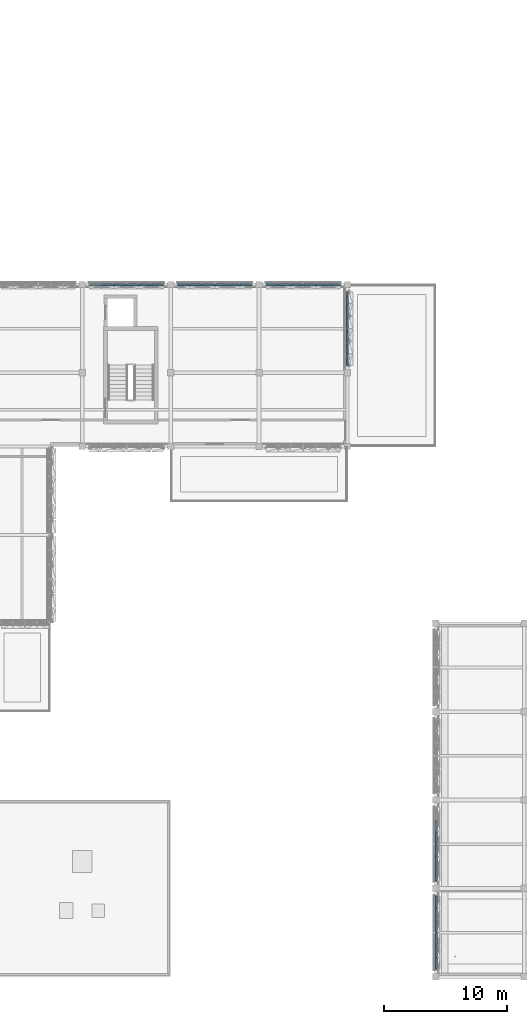
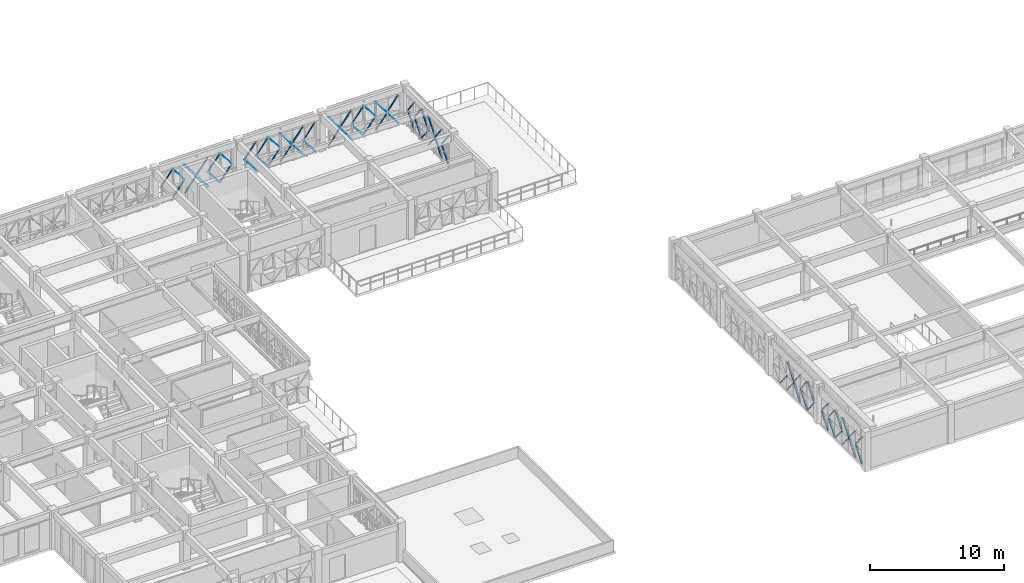
# One storey, part 47 of 74: 68 discrete accessories.
"""IFC4 building model written with IfcOpenShell, lengths in metres."""

from ifc_helpers import new_model, si_unit, direction, frame, origin, origin_2d, place, context, subcontext, project, spatial, rectangle, extrude, material, type_object, element, save


model = new_model("IFC4")

# Units and contexts
model_context = context("Model", 3, precision=1e-05, world=origin(), true_north=direction((0.0, 1.0)))
body_context = subcontext(model_context, "Body", "Model", "MODEL_VIEW")
ifc_project = project(units=[si_unit("LENGTHUNIT", "METRE"), si_unit("AREAUNIT", "SQUARE_METRE"), si_unit("VOLUMEUNIT", "CUBIC_METRE"), si_unit("PLANEANGLEUNIT", "RADIAN"), si_unit("MASSUNIT", "GRAM", prefix="KILO")], contexts=[model_context])

# Site, building, storey
site_placement = place(None, origin())
site = spatial("IfcSite", under=ifc_project, at=site_placement, CompositionType="ELEMENT")
building_placement = place(site_placement, origin())
building = spatial("IfcBuilding", under=site, at=building_placement, Name="Alvorim Cloister Faculty of Sciences", CompositionType="ELEMENT")
storey_placement = place(building_placement, frame((0.0, 0.0, 15.75)))
storey = spatial("IfcBuildingStorey", under=building, at=storey_placement, Name="L04", CompositionType="ELEMENT", Elevation=15.75)

# Discrete accessories
ifc_material = material(Name="Aluminium Alloy 6063-T6", Category="aluminium")
discrete_accessory_type = type_object("IfcDiscreteAccessoryType", Name="ACC-DIAG-BAR", PredefinedType="BRACKET", material=ifc_material)
discrete_accessory_1_placement = place(storey_placement, frame((36.60498046875, 56.37744140625, 1.4951171875), z_axis=(0.604790215644, -0.006561629754, 0.796357796519), x_axis=(0.010848792579, 0.999941150118, 0.0)))
element("IfcDiscreteAccessory", 1, at=discrete_accessory_1_placement, inside=storey, type_object=discrete_accessory_type, Name="Diagonal Cassette Glazing Bracket ACC-02078", PredefinedType="BRACKET", context=body_context, shape_type="SweptSolid", body=[
    extrude(rectangle(XDim=0.139892578125, YDim=0.044921875, at=origin_2d()), origin(), (0.0, 0.0, 1.0), 1.525390625),
])
discrete_accessory_2_placement = place(storey_placement, frame((37.592529296875, 56.37744140625, 0.139892578125), z_axis=(0.617955086572, -0.006476523147, 0.786186724404), x_axis=(0.010479997039, 0.999945083323, 0.0)))
element("IfcDiscreteAccessory", 2, at=discrete_accessory_2_placement, inside=storey, type_object=discrete_accessory_type, Name="Diagonal Cassette Glazing Bracket ACC-02079", PredefinedType="BRACKET", context=body_context, shape_type="SweptSolid", body=[
    extrude(rectangle(XDim=0.139892578125, YDim=0.044921875, at=origin_2d()), origin(), (0.0, 0.0, 1.0), 1.545654296875),
])
for number, where, z_axis, x_axis, name in (
    (3, (37.592529296875, 56.37744140625, 2.7099609375), (0.618031836495, -0.00647732753, -0.786126385072), (0.010479997039, 0.999945083323, 0.0), "Diagonal Cassette Glazing Bracket ACC-02080"),
    (4, (38.612548828125, 56.37744140625, 0.139892578125), (0.61785742976, -0.006477155362, 0.786263469168), (0.010482676365, 0.999945055239, 0.0), "Diagonal Cassette Glazing Bracket ACC-02081"),
):
    element("IfcDiscreteAccessory", number, at=place(storey_placement, frame(where, z_axis=z_axis, x_axis=x_axis)), inside=storey, type_object=discrete_accessory_type, Name=name, PredefinedType="BRACKET", context=body_context, shape_type="SweptSolid", body=[
        extrude(rectangle(XDim=0.139892578125, YDim=0.044921875, at=origin_2d()), origin(), (0.0, 0.0, 1.0), 1.54541015625),
    ])
discrete_accessory_3_placement = place(storey_placement, frame((38.612548828125, 56.37744140625, 2.7099609375), z_axis=(0.61793418254, -0.006477959981, -0.786203143012), x_axis=(0.010482676365, 0.999945055239, 0.0)))
element("IfcDiscreteAccessory", 5, at=discrete_accessory_3_placement, inside=storey, type_object=discrete_accessory_type, Name="Diagonal Cassette Glazing Bracket ACC-02082", PredefinedType="BRACKET", context=body_context, shape_type="SweptSolid", body=[
    extrude(rectangle(XDim=0.139892578125, YDim=0.044921875, at=origin_2d()), origin(), (0.0, 0.0, 1.0), 1.545166015625),
])
discrete_accessory_4_placement = place(storey_placement, frame((39.632568359375, 56.37744140625, 1.35498046875), z_axis=(0.61785742976, -0.006477155362, -0.786263469168), x_axis=(0.010482676365, 0.999945055239, 0.0)))
element("IfcDiscreteAccessory", 6, at=discrete_accessory_4_placement, inside=storey, type_object=discrete_accessory_type, Name="Diagonal Cassette Glazing Bracket ACC-02083", PredefinedType="BRACKET", context=body_context, shape_type="SweptSolid", body=[
    extrude(rectangle(XDim=0.139892578125, YDim=0.044921875, at=origin_2d()), origin(), (0.0, 0.0, 1.0), 1.54541015625),
])
discrete_accessory_5_placement = place(storey_placement, frame((39.632568359375, 56.37744140625, 1.4951171875), z_axis=(0.61793418254, -0.006477959981, 0.786203143012), x_axis=(0.010482676365, 0.999945055239, 0.0)))
element("IfcDiscreteAccessory", 7, at=discrete_accessory_5_placement, inside=storey, type_object=discrete_accessory_type, Name="Diagonal Cassette Glazing Bracket ACC-02084", PredefinedType="BRACKET", context=body_context, shape_type="SweptSolid", body=[
    extrude(rectangle(XDim=0.139892578125, YDim=0.044921875, at=origin_2d()), origin(), (0.0, 0.0, 1.0), 1.545166015625),
])
discrete_accessory_6_placement = place(storey_placement, frame((40.652587890625, 56.37744140625, 1.35498046875), z_axis=(0.61785742976, -0.006477155362, -0.786263469168), x_axis=(0.010482676365, 0.999945055239, 0.0)))
element("IfcDiscreteAccessory", 8, at=discrete_accessory_6_placement, inside=storey, type_object=discrete_accessory_type, Name="Diagonal Cassette Glazing Bracket ACC-02085", PredefinedType="BRACKET", context=body_context, shape_type="SweptSolid", body=[
    extrude(rectangle(XDim=0.139892578125, YDim=0.044921875, at=origin_2d()), origin(), (0.0, 0.0, 1.0), 1.54541015625),
])
discrete_accessory_7_placement = place(storey_placement, frame((40.652587890625, 56.37744140625, 1.4951171875), z_axis=(0.61793418254, -0.006477959981, 0.786203143012), x_axis=(0.010482676365, 0.999945055239, 0.0)))
element("IfcDiscreteAccessory", 9, at=discrete_accessory_7_placement, inside=storey, type_object=discrete_accessory_type, Name="Diagonal Cassette Glazing Bracket ACC-02086", PredefinedType="BRACKET", context=body_context, shape_type="SweptSolid", body=[
    extrude(rectangle(XDim=0.139892578125, YDim=0.044921875, at=origin_2d()), origin(), (0.0, 0.0, 1.0), 1.545166015625),
])
discrete_accessory_8_placement = place(storey_placement, frame((41.672607421875, 56.37744140625, 0.139892578125), z_axis=(0.604611624251, -0.006561428426, 0.796493397008), x_axis=(0.010851663811, 0.999941118963, 0.0)))
element("IfcDiscreteAccessory", 10, at=discrete_accessory_8_placement, inside=storey, type_object=discrete_accessory_type, Name="Diagonal Cassette Glazing Bracket ACC-02087", PredefinedType="BRACKET", context=body_context, shape_type="SweptSolid", body=[
    extrude(rectangle(XDim=0.139892578125, YDim=0.044921875, at=origin_2d()), origin(), (0.0, 0.0, 1.0), 1.525634765625),
])
discrete_accessory_9_placement = place(storey_placement, frame((41.672607421875, 56.37744140625, 2.7099609375), z_axis=(0.604688699088, -0.006562264866, -0.796434877359), x_axis=(0.010851663811, 0.999941118963, 0.0)))
element("IfcDiscreteAccessory", 11, at=discrete_accessory_9_placement, inside=storey, type_object=discrete_accessory_type, Name="Diagonal Cassette Glazing Bracket ACC-02088", PredefinedType="BRACKET", context=body_context, shape_type="SweptSolid", body=[
    extrude(rectangle(XDim=0.139892578125, YDim=0.044921875, at=origin_2d()), origin(), (0.0, 0.0, 1.0), 1.525390625),
])
discrete_accessory_10_placement = place(storey_placement, frame((43.804931640625, 56.37744140625, 1.35498046875), z_axis=(0.604713142785, -0.006560793558, -0.796416330151), x_axis=(0.010848792579, 0.999941150118, 0.0)))
element("IfcDiscreteAccessory", 12, at=discrete_accessory_10_placement, inside=storey, type_object=discrete_accessory_type, Name="Diagonal Cassette Glazing Bracket ACC-02090", PredefinedType="BRACKET", context=body_context, shape_type="SweptSolid", body=[
    extrude(rectangle(XDim=0.139892578125, YDim=0.044921875, at=origin_2d()), origin(), (0.0, 0.0, 1.0), 1.525634765625),
])
discrete_accessory_11_placement = place(storey_placement, frame((43.804931640625, 56.37744140625, 1.4951171875), z_axis=(0.604790215644, -0.006561629754, 0.796357796519), x_axis=(0.010848792579, 0.999941150118, 0.0)))
element("IfcDiscreteAccessory", 13, at=discrete_accessory_11_placement, inside=storey, type_object=discrete_accessory_type, Name="Diagonal Cassette Glazing Bracket ACC-02091", PredefinedType="BRACKET", context=body_context, shape_type="SweptSolid", body=[
    extrude(rectangle(XDim=0.139892578125, YDim=0.044921875, at=origin_2d()), origin(), (0.0, 0.0, 1.0), 1.525390625),
])
discrete_accessory_12_placement = place(storey_placement, frame((44.79248046875, 56.37744140625, 1.35498046875), z_axis=(0.617955086572, -0.006476523147, -0.786186724404), x_axis=(0.010479997039, 0.999945083323, 0.0)))
element("IfcDiscreteAccessory", 14, at=discrete_accessory_12_placement, inside=storey, type_object=discrete_accessory_type, Name="Diagonal Cassette Glazing Bracket ACC-02092", PredefinedType="BRACKET", context=body_context, shape_type="SweptSolid", body=[
    extrude(rectangle(XDim=0.139892578125, YDim=0.044921875, at=origin_2d()), origin(), (0.0, 0.0, 1.0), 1.545654296875),
])
discrete_accessory_13_placement = place(storey_placement, frame((44.79248046875, 56.37744140625, 1.4951171875), z_axis=(0.618031836495, -0.00647732753, 0.786126385072), x_axis=(0.010479997039, 0.999945083323, 0.0)))
element("IfcDiscreteAccessory", 15, at=discrete_accessory_13_placement, inside=storey, type_object=discrete_accessory_type, Name="Diagonal Cassette Glazing Bracket ACC-02093", PredefinedType="BRACKET", context=body_context, shape_type="SweptSolid", body=[
    extrude(rectangle(XDim=0.139892578125, YDim=0.044921875, at=origin_2d()), origin(), (0.0, 0.0, 1.0), 1.54541015625),
])
discrete_accessory_14_placement = place(storey_placement, frame((45.8125, 56.37744140625, 0.139892578125), z_axis=(0.617955086572, -0.006476523147, 0.786186724404), x_axis=(0.010479997039, 0.999945083323, 0.0)))
element("IfcDiscreteAccessory", 16, at=discrete_accessory_14_placement, inside=storey, type_object=discrete_accessory_type, Name="Diagonal Cassette Glazing Bracket ACC-02094", PredefinedType="BRACKET", context=body_context, shape_type="SweptSolid", body=[
    extrude(rectangle(XDim=0.139892578125, YDim=0.044921875, at=origin_2d()), origin(), (0.0, 0.0, 1.0), 1.545654296875),
])
discrete_accessory_15_placement = place(storey_placement, frame((45.8125, 56.37744140625, 2.7099609375), z_axis=(0.618031836495, -0.00647732753, -0.786126385072), x_axis=(0.010479997039, 0.999945083323, 0.0)))
element("IfcDiscreteAccessory", 17, at=discrete_accessory_15_placement, inside=storey, type_object=discrete_accessory_type, Name="Diagonal Cassette Glazing Bracket ACC-02095", PredefinedType="BRACKET", context=body_context, shape_type="SweptSolid", body=[
    extrude(rectangle(XDim=0.139892578125, YDim=0.044921875, at=origin_2d()), origin(), (0.0, 0.0, 1.0), 1.54541015625),
])
discrete_accessory_16_placement = place(storey_placement, frame((46.83251953125, 56.37744140625, 0.139892578125), z_axis=(0.617955086572, -0.006476523147, 0.786186724404), x_axis=(0.010479997039, 0.999945083323, 0.0)))
element("IfcDiscreteAccessory", 18, at=discrete_accessory_16_placement, inside=storey, type_object=discrete_accessory_type, Name="Diagonal Cassette Glazing Bracket ACC-02096", PredefinedType="BRACKET", context=body_context, shape_type="SweptSolid", body=[
    extrude(rectangle(XDim=0.139892578125, YDim=0.044921875, at=origin_2d()), origin(), (0.0, 0.0, 1.0), 1.545654296875),
])
discrete_accessory_17_placement = place(storey_placement, frame((46.83251953125, 56.37744140625, 2.7099609375), z_axis=(0.618031836495, -0.00647732753, -0.786126385072), x_axis=(0.010479997039, 0.999945083323, 0.0)))
element("IfcDiscreteAccessory", 19, at=discrete_accessory_17_placement, inside=storey, type_object=discrete_accessory_type, Name="Diagonal Cassette Glazing Bracket ACC-02097", PredefinedType="BRACKET", context=body_context, shape_type="SweptSolid", body=[
    extrude(rectangle(XDim=0.139892578125, YDim=0.044921875, at=origin_2d()), origin(), (0.0, 0.0, 1.0), 1.54541015625),
])
discrete_accessory_18_placement = place(storey_placement, frame((47.8525390625, 56.37744140625, 1.35498046875), z_axis=(0.617955086572, -0.006476523147, -0.786186724404), x_axis=(0.010479997039, 0.999945083323, 0.0)))
element("IfcDiscreteAccessory", 20, at=discrete_accessory_18_placement, inside=storey, type_object=discrete_accessory_type, Name="Diagonal Cassette Glazing Bracket ACC-02098", PredefinedType="BRACKET", context=body_context, shape_type="SweptSolid", body=[
    extrude(rectangle(XDim=0.139892578125, YDim=0.044921875, at=origin_2d()), origin(), (0.0, 0.0, 1.0), 1.545654296875),
])
discrete_accessory_19_placement = place(storey_placement, frame((47.8525390625, 56.37744140625, 1.4951171875), z_axis=(0.618031836495, -0.00647732753, 0.786126385072), x_axis=(0.010479997039, 0.999945083323, 0.0)))
element("IfcDiscreteAccessory", 21, at=discrete_accessory_19_placement, inside=storey, type_object=discrete_accessory_type, Name="Diagonal Cassette Glazing Bracket ACC-02099", PredefinedType="BRACKET", context=body_context, shape_type="SweptSolid", body=[
    extrude(rectangle(XDim=0.139892578125, YDim=0.044921875, at=origin_2d()), origin(), (0.0, 0.0, 1.0), 1.54541015625),
])
discrete_accessory_20_placement = place(storey_placement, frame((48.87255859375, 56.37744140625, 1.35498046875), z_axis=(0.604611624251, -0.006561428426, -0.796493397008), x_axis=(0.010851663811, 0.999941118963, 0.0)))
element("IfcDiscreteAccessory", 22, at=discrete_accessory_20_placement, inside=storey, type_object=discrete_accessory_type, Name="Diagonal Cassette Glazing Bracket ACC-02100", PredefinedType="BRACKET", context=body_context, shape_type="SweptSolid", body=[
    extrude(rectangle(XDim=0.139892578125, YDim=0.044921875, at=origin_2d()), origin(), (0.0, 0.0, 1.0), 1.525634765625),
])
discrete_accessory_21_placement = place(storey_placement, frame((48.87255859375, 56.37744140625, 1.4951171875), z_axis=(0.604688699088, -0.006562264866, 0.796434877359), x_axis=(0.010851663811, 0.999941118963, 0.0)))
element("IfcDiscreteAccessory", 23, at=discrete_accessory_21_placement, inside=storey, type_object=discrete_accessory_type, Name="Diagonal Cassette Glazing Bracket ACC-02101", PredefinedType="BRACKET", context=body_context, shape_type="SweptSolid", body=[
    extrude(rectangle(XDim=0.139892578125, YDim=0.044921875, at=origin_2d()), origin(), (0.0, 0.0, 1.0), 1.525390625),
])
discrete_accessory_22_placement = place(storey_placement, frame((51.0048828125, 56.37744140625, 0.139892578125), z_axis=(0.604713142785, -0.006560793558, 0.796416330151), x_axis=(0.010848792579, 0.999941150118, 0.0)))
element("IfcDiscreteAccessory", 24, at=discrete_accessory_22_placement, inside=storey, type_object=discrete_accessory_type, Name="Diagonal Cassette Glazing Bracket ACC-02103", PredefinedType="BRACKET", context=body_context, shape_type="SweptSolid", body=[
    extrude(rectangle(XDim=0.139892578125, YDim=0.044921875, at=origin_2d()), origin(), (0.0, 0.0, 1.0), 1.525634765625),
])
discrete_accessory_23_placement = place(storey_placement, frame((51.0048828125, 56.37744140625, 2.7099609375), z_axis=(0.604790215644, -0.006561629754, -0.796357796519), x_axis=(0.010848792579, 0.999941150118, 0.0)))
element("IfcDiscreteAccessory", 25, at=discrete_accessory_23_placement, inside=storey, type_object=discrete_accessory_type, Name="Diagonal Cassette Glazing Bracket ACC-02104", PredefinedType="BRACKET", context=body_context, shape_type="SweptSolid", body=[
    extrude(rectangle(XDim=0.139892578125, YDim=0.044921875, at=origin_2d()), origin(), (0.0, 0.0, 1.0), 1.525390625),
])
discrete_accessory_24_placement = place(storey_placement, frame((51.992431640625, 56.37744140625, 1.35498046875), z_axis=(0.617955086572, -0.006476523147, -0.786186724404), x_axis=(0.010479997039, 0.999945083323, 0.0)))
element("IfcDiscreteAccessory", 26, at=discrete_accessory_24_placement, inside=storey, type_object=discrete_accessory_type, Name="Diagonal Cassette Glazing Bracket ACC-02105", PredefinedType="BRACKET", context=body_context, shape_type="SweptSolid", body=[
    extrude(rectangle(XDim=0.139892578125, YDim=0.044921875, at=origin_2d()), origin(), (0.0, 0.0, 1.0), 1.545654296875),
])
discrete_accessory_25_placement = place(storey_placement, frame((51.992431640625, 56.37744140625, 1.4951171875), z_axis=(0.618031836495, -0.00647732753, 0.786126385072), x_axis=(0.010479997039, 0.999945083323, 0.0)))
element("IfcDiscreteAccessory", 27, at=discrete_accessory_25_placement, inside=storey, type_object=discrete_accessory_type, Name="Diagonal Cassette Glazing Bracket ACC-02106", PredefinedType="BRACKET", context=body_context, shape_type="SweptSolid", body=[
    extrude(rectangle(XDim=0.139892578125, YDim=0.044921875, at=origin_2d()), origin(), (0.0, 0.0, 1.0), 1.54541015625),
])
discrete_accessory_26_placement = place(storey_placement, frame((53.012451171875, 56.37744140625, 1.35498046875), z_axis=(0.617955086572, -0.006476523147, -0.786186724404), x_axis=(0.010479997039, 0.999945083323, 0.0)))
element("IfcDiscreteAccessory", 28, at=discrete_accessory_26_placement, inside=storey, type_object=discrete_accessory_type, Name="Diagonal Cassette Glazing Bracket ACC-02107", PredefinedType="BRACKET", context=body_context, shape_type="SweptSolid", body=[
    extrude(rectangle(XDim=0.139892578125, YDim=0.044921875, at=origin_2d()), origin(), (0.0, 0.0, 1.0), 1.545654296875),
])
discrete_accessory_27_placement = place(storey_placement, frame((53.012451171875, 56.37744140625, 1.4951171875), z_axis=(0.618031836495, -0.00647732753, 0.786126385072), x_axis=(0.010479997039, 0.999945083323, 0.0)))
element("IfcDiscreteAccessory", 29, at=discrete_accessory_27_placement, inside=storey, type_object=discrete_accessory_type, Name="Diagonal Cassette Glazing Bracket ACC-02108", PredefinedType="BRACKET", context=body_context, shape_type="SweptSolid", body=[
    extrude(rectangle(XDim=0.139892578125, YDim=0.044921875, at=origin_2d()), origin(), (0.0, 0.0, 1.0), 1.54541015625),
])
discrete_accessory_28_placement = place(storey_placement, frame((54.032470703125, 56.37744140625, 0.139892578125), z_axis=(0.617955086572, -0.006476523147, 0.786186724404), x_axis=(0.010479997039, 0.999945083323, 0.0)))
element("IfcDiscreteAccessory", 30, at=discrete_accessory_28_placement, inside=storey, type_object=discrete_accessory_type, Name="Diagonal Cassette Glazing Bracket ACC-02109", PredefinedType="BRACKET", context=body_context, shape_type="SweptSolid", body=[
    extrude(rectangle(XDim=0.139892578125, YDim=0.044921875, at=origin_2d()), origin(), (0.0, 0.0, 1.0), 1.545654296875),
])
discrete_accessory_29_placement = place(storey_placement, frame((54.032470703125, 56.37744140625, 2.7099609375), z_axis=(0.618031836495, -0.00647732753, -0.786126385072), x_axis=(0.010479997039, 0.999945083323, 0.0)))
element("IfcDiscreteAccessory", 31, at=discrete_accessory_29_placement, inside=storey, type_object=discrete_accessory_type, Name="Diagonal Cassette Glazing Bracket ACC-02110", PredefinedType="BRACKET", context=body_context, shape_type="SweptSolid", body=[
    extrude(rectangle(XDim=0.139892578125, YDim=0.044921875, at=origin_2d()), origin(), (0.0, 0.0, 1.0), 1.54541015625),
])
discrete_accessory_30_placement = place(storey_placement, frame((55.052490234375, 56.37744140625, 0.139892578125), z_axis=(0.617955086572, -0.006476523147, 0.786186724404), x_axis=(0.010479997039, 0.999945083323, 0.0)))
element("IfcDiscreteAccessory", 32, at=discrete_accessory_30_placement, inside=storey, type_object=discrete_accessory_type, Name="Diagonal Cassette Glazing Bracket ACC-02111", PredefinedType="BRACKET", context=body_context, shape_type="SweptSolid", body=[
    extrude(rectangle(XDim=0.139892578125, YDim=0.044921875, at=origin_2d()), origin(), (0.0, 0.0, 1.0), 1.545654296875),
])
discrete_accessory_31_placement = place(storey_placement, frame((55.052490234375, 56.37744140625, 2.7099609375), z_axis=(0.618031836495, -0.00647732753, -0.786126385072), x_axis=(0.010479997039, 0.999945083323, 0.0)))
element("IfcDiscreteAccessory", 33, at=discrete_accessory_31_placement, inside=storey, type_object=discrete_accessory_type, Name="Diagonal Cassette Glazing Bracket ACC-02112", PredefinedType="BRACKET", context=body_context, shape_type="SweptSolid", body=[
    extrude(rectangle(XDim=0.139892578125, YDim=0.044921875, at=origin_2d()), origin(), (0.0, 0.0, 1.0), 1.54541015625),
])
discrete_accessory_32_placement = place(storey_placement, frame((56.072509765625, 56.37744140625, 1.35498046875), z_axis=(0.604713142785, -0.006560793558, -0.796416330151), x_axis=(0.010848792579, 0.999941150118, 0.0)))
element("IfcDiscreteAccessory", 34, at=discrete_accessory_32_placement, inside=storey, type_object=discrete_accessory_type, Name="Diagonal Cassette Glazing Bracket ACC-02113", PredefinedType="BRACKET", context=body_context, shape_type="SweptSolid", body=[
    extrude(rectangle(XDim=0.139892578125, YDim=0.044921875, at=origin_2d()), origin(), (0.0, 0.0, 1.0), 1.525634765625),
])
discrete_accessory_33_placement = place(storey_placement, frame((56.072509765625, 56.37744140625, 1.4951171875), z_axis=(0.604790215644, -0.006561629754, 0.796357796519), x_axis=(0.010848792579, 0.999941150118, 0.0)))
element("IfcDiscreteAccessory", 35, at=discrete_accessory_33_placement, inside=storey, type_object=discrete_accessory_type, Name="Diagonal Cassette Glazing Bracket ACC-02114", PredefinedType="BRACKET", context=body_context, shape_type="SweptSolid", body=[
    extrude(rectangle(XDim=0.139892578125, YDim=0.044921875, at=origin_2d()), origin(), (0.0, 0.0, 1.0), 1.525390625),
])
discrete_accessory_34_placement = place(storey_placement, frame((57.577392578125, 49.804931640625, 0.139892578125), z_axis=(-0.006560793558, 0.604713142785, 0.796416330151), x_axis=(-0.999941150118, -0.010848792579, 0.0)))
element("IfcDiscreteAccessory", 36, at=discrete_accessory_34_placement, inside=storey, type_object=discrete_accessory_type, Name="Diagonal Cassette Glazing Bracket ACC-02116", PredefinedType="BRACKET", context=body_context, shape_type="SweptSolid", body=[
    extrude(rectangle(XDim=0.139892578125, YDim=0.044921875, at=origin_2d()), origin(), (0.0, 0.0, 1.0), 1.525634765625),
])
discrete_accessory_35_placement = place(storey_placement, frame((57.577392578125, 49.804931640625, 2.7099609375), z_axis=(-0.006561629754, 0.604790215644, -0.796357796519), x_axis=(-0.999941150118, -0.010848792579, 0.0)))
element("IfcDiscreteAccessory", 37, at=discrete_accessory_35_placement, inside=storey, type_object=discrete_accessory_type, Name="Diagonal Cassette Glazing Bracket ACC-02117", PredefinedType="BRACKET", context=body_context, shape_type="SweptSolid", body=[
    extrude(rectangle(XDim=0.139892578125, YDim=0.044921875, at=origin_2d()), origin(), (0.0, 0.0, 1.0), 1.525390625),
])
discrete_accessory_36_placement = place(storey_placement, frame((57.577392578125, 50.79248046875, 0.139892578125), z_axis=(-0.006476523147, 0.617955086572, 0.786186724404), x_axis=(-0.999945083323, -0.010479997039, 0.0)))
element("IfcDiscreteAccessory", 38, at=discrete_accessory_36_placement, inside=storey, type_object=discrete_accessory_type, Name="Diagonal Cassette Glazing Bracket ACC-02118", PredefinedType="BRACKET", context=body_context, shape_type="SweptSolid", body=[
    extrude(rectangle(XDim=0.139892578125, YDim=0.044921875, at=origin_2d()), origin(), (0.0, 0.0, 1.0), 1.545654296875),
])
discrete_accessory_37_placement = place(storey_placement, frame((57.577392578125, 50.79248046875, 2.7099609375), z_axis=(-0.00647732753, 0.618031836495, -0.786126385072), x_axis=(-0.999945083323, -0.010479997039, 0.0)))
element("IfcDiscreteAccessory", 39, at=discrete_accessory_37_placement, inside=storey, type_object=discrete_accessory_type, Name="Diagonal Cassette Glazing Bracket ACC-02119", PredefinedType="BRACKET", context=body_context, shape_type="SweptSolid", body=[
    extrude(rectangle(XDim=0.139892578125, YDim=0.044921875, at=origin_2d()), origin(), (0.0, 0.0, 1.0), 1.54541015625),
])
discrete_accessory_38_placement = place(storey_placement, frame((57.577392578125, 51.8125, 1.35498046875), z_axis=(-0.006476523147, 0.617955086572, -0.786186724404), x_axis=(-0.999945083323, -0.010479997039, 0.0)))
element("IfcDiscreteAccessory", 40, at=discrete_accessory_38_placement, inside=storey, type_object=discrete_accessory_type, Name="Diagonal Cassette Glazing Bracket ACC-02120", PredefinedType="BRACKET", context=body_context, shape_type="SweptSolid", body=[
    extrude(rectangle(XDim=0.139892578125, YDim=0.044921875, at=origin_2d()), origin(), (0.0, 0.0, 1.0), 1.545654296875),
])
discrete_accessory_39_placement = place(storey_placement, frame((57.577392578125, 51.8125, 1.4951171875), z_axis=(-0.00647732753, 0.618031836495, 0.786126385072), x_axis=(-0.999945083323, -0.010479997039, 0.0)))
element("IfcDiscreteAccessory", 41, at=discrete_accessory_39_placement, inside=storey, type_object=discrete_accessory_type, Name="Diagonal Cassette Glazing Bracket ACC-02121", PredefinedType="BRACKET", context=body_context, shape_type="SweptSolid", body=[
    extrude(rectangle(XDim=0.139892578125, YDim=0.044921875, at=origin_2d()), origin(), (0.0, 0.0, 1.0), 1.54541015625),
])
discrete_accessory_40_placement = place(storey_placement, frame((57.577392578125, 52.83251953125, 1.35498046875), z_axis=(-0.006476523147, 0.617955086572, -0.786186724404), x_axis=(-0.999945083323, -0.010479997039, 0.0)))
element("IfcDiscreteAccessory", 42, at=discrete_accessory_40_placement, inside=storey, type_object=discrete_accessory_type, Name="Diagonal Cassette Glazing Bracket ACC-02122", PredefinedType="BRACKET", context=body_context, shape_type="SweptSolid", body=[
    extrude(rectangle(XDim=0.139892578125, YDim=0.044921875, at=origin_2d()), origin(), (0.0, 0.0, 1.0), 1.545654296875),
])
discrete_accessory_41_placement = place(storey_placement, frame((57.577392578125, 52.83251953125, 1.4951171875), z_axis=(-0.00647732753, 0.618031836495, 0.786126385072), x_axis=(-0.999945083323, -0.010479997039, 0.0)))
element("IfcDiscreteAccessory", 43, at=discrete_accessory_41_placement, inside=storey, type_object=discrete_accessory_type, Name="Diagonal Cassette Glazing Bracket ACC-02123", PredefinedType="BRACKET", context=body_context, shape_type="SweptSolid", body=[
    extrude(rectangle(XDim=0.139892578125, YDim=0.044921875, at=origin_2d()), origin(), (0.0, 0.0, 1.0), 1.54541015625),
])
discrete_accessory_42_placement = place(storey_placement, frame((57.577392578125, 53.8525390625, 0.139892578125), z_axis=(-0.006476523147, 0.617955086572, 0.786186724404), x_axis=(-0.999945083323, -0.010479997039, 0.0)))
element("IfcDiscreteAccessory", 44, at=discrete_accessory_42_placement, inside=storey, type_object=discrete_accessory_type, Name="Diagonal Cassette Glazing Bracket ACC-02124", PredefinedType="BRACKET", context=body_context, shape_type="SweptSolid", body=[
    extrude(rectangle(XDim=0.139892578125, YDim=0.044921875, at=origin_2d()), origin(), (0.0, 0.0, 1.0), 1.545654296875),
])
discrete_accessory_43_placement = place(storey_placement, frame((57.577392578125, 53.8525390625, 2.7099609375), z_axis=(-0.00647732753, 0.618031836495, -0.786126385072), x_axis=(-0.999945083323, -0.010479997039, 0.0)))
element("IfcDiscreteAccessory", 45, at=discrete_accessory_43_placement, inside=storey, type_object=discrete_accessory_type, Name="Diagonal Cassette Glazing Bracket ACC-02125", PredefinedType="BRACKET", context=body_context, shape_type="SweptSolid", body=[
    extrude(rectangle(XDim=0.139892578125, YDim=0.044921875, at=origin_2d()), origin(), (0.0, 0.0, 1.0), 1.54541015625),
])
discrete_accessory_44_placement = place(storey_placement, frame((57.577392578125, 54.87255859375, 0.139892578125), z_axis=(-0.006561428426, 0.604611624251, 0.796493397008), x_axis=(-0.999941118963, -0.010851663811, 0.0)))
element("IfcDiscreteAccessory", 46, at=discrete_accessory_44_placement, inside=storey, type_object=discrete_accessory_type, Name="Diagonal Cassette Glazing Bracket ACC-02126", PredefinedType="BRACKET", context=body_context, shape_type="SweptSolid", body=[
    extrude(rectangle(XDim=0.139892578125, YDim=0.044921875, at=origin_2d()), origin(), (0.0, 0.0, 1.0), 1.525634765625),
])
discrete_accessory_45_placement = place(storey_placement, frame((57.577392578125, 54.87255859375, 2.7099609375), z_axis=(-0.006562264866, 0.604688699088, -0.796434877359), x_axis=(-0.999941118963, -0.010851663811, 0.0)))
element("IfcDiscreteAccessory", 47, at=discrete_accessory_45_placement, inside=storey, type_object=discrete_accessory_type, Name="Diagonal Cassette Glazing Bracket ACC-02127", PredefinedType="BRACKET", context=body_context, shape_type="SweptSolid", body=[
    extrude(rectangle(XDim=0.139892578125, YDim=0.044921875, at=origin_2d()), origin(), (0.0, 0.0, 1.0), 1.525390625),
])
for number, where, z_axis, x_axis, name in (
    (48, (64.822509765625, 0.60498046875, 0.139892578125), (0.0067432121, 0.621526793307, 0.783363883705), (-0.999941150118, 0.010848792579, 0.0), "Diagonal Cassette Glazing Bracket ACC-02229"),
    (49, (64.822509765625, 0.60498046875, 2.605712890625), (0.0067432121, 0.621526793307, -0.783363883705), (-0.999941150118, 0.010848792579, 0.0), "Diagonal Cassette Glazing Bracket ACC-02230"),
):
    element("IfcDiscreteAccessory", number, at=place(storey_placement, frame(where, z_axis=z_axis, x_axis=x_axis)), inside=storey, type_object=discrete_accessory_type, Name=name, PredefinedType="BRACKET", context=body_context, shape_type="SweptSolid", body=[
        extrude(rectangle(XDim=0.139892578125, YDim=0.044921875, at=origin_2d()), origin(), (0.0, 0.0, 1.0), 1.484375),
    ])
for number, where, z_axis, x_axis, name in (
    (50, (64.822509765625, 1.592529296875, 0.139892578125), (0.006651814033, 0.634680402339, 0.772746103359), (-0.999945083323, 0.010479997039, 0.0), "Diagonal Cassette Glazing Bracket ACC-02231"),
    (51, (64.822509765625, 1.592529296875, 2.605712890625), (0.006651814033, 0.634680402339, -0.772746103359), (-0.999945083323, 0.010479997039, 0.0), "Diagonal Cassette Glazing Bracket ACC-02232"),
):
    element("IfcDiscreteAccessory", number, at=place(storey_placement, frame(where, z_axis=z_axis, x_axis=x_axis)), inside=storey, type_object=discrete_accessory_type, Name=name, PredefinedType="BRACKET", context=body_context, shape_type="SweptSolid", body=[
        extrude(rectangle(XDim=0.139892578125, YDim=0.044921875, at=origin_2d()), origin(), (0.0, 0.0, 1.0), 1.5048828125),
    ])
for number, where, z_axis, x_axis, name in (
    (52, (64.822509765625, 2.612548828125, 1.302734375), (0.006652498989, 0.634583501141, -0.772825675258), (-0.999945055239, 0.010482676365, 0.0), "Diagonal Cassette Glazing Bracket ACC-02233"),
    (53, (64.822509765625, 2.612548828125, 1.44287109375), (0.006652498989, 0.634583501141, 0.772825675258), (-0.999945055239, 0.010482676365, 0.0), "Diagonal Cassette Glazing Bracket ACC-02234"),
    (54, (64.822509765625, 3.632568359375, 1.302734375), (0.006652498989, 0.634583501141, -0.772825675258), (-0.999945055239, 0.010482676365, 0.0), "Diagonal Cassette Glazing Bracket ACC-02235"),
    (55, (64.822509765625, 3.632568359375, 1.44287109375), (0.006652498989, 0.634583501141, 0.772825675258), (-0.999945055239, 0.010482676365, 0.0), "Diagonal Cassette Glazing Bracket ACC-02236"),
    (56, (64.822509765625, 4.652587890625, 0.139892578125), (0.006652498989, 0.634583501141, 0.772825675258), (-0.999945055239, 0.010482676365, 0.0), "Diagonal Cassette Glazing Bracket ACC-02237"),
    (57, (64.822509765625, 4.652587890625, 2.605712890625), (0.006652498989, 0.634583501141, -0.772825675258), (-0.999945055239, 0.010482676365, 0.0), "Diagonal Cassette Glazing Bracket ACC-02238"),
):
    element("IfcDiscreteAccessory", number, at=place(storey_placement, frame(where, z_axis=z_axis, x_axis=x_axis)), inside=storey, type_object=discrete_accessory_type, Name=name, PredefinedType="BRACKET", context=body_context, shape_type="SweptSolid", body=[
        extrude(rectangle(XDim=0.139892578125, YDim=0.044921875, at=origin_2d()), origin(), (0.0, 0.0, 1.0), 1.504638671875),
    ])
for number, where, z_axis, x_axis, name in (
    (58, (64.822509765625, 5.672607421875, 0.139892578125), (0.006743901417, 0.621425842725, 0.783443962123), (-0.999941118963, 0.010851663811, 0.0), "Diagonal Cassette Glazing Bracket ACC-02239"),
    (59, (64.822509765625, 5.672607421875, 2.605712890625), (0.006743901417, 0.621425842725, -0.783443962123), (-0.999941118963, 0.010851663811, 0.0), "Diagonal Cassette Glazing Bracket ACC-02240"),
):
    element("IfcDiscreteAccessory", number, at=place(storey_placement, frame(where, z_axis=z_axis, x_axis=x_axis)), inside=storey, type_object=discrete_accessory_type, Name=name, PredefinedType="BRACKET", context=body_context, shape_type="SweptSolid", body=[
        extrude(rectangle(XDim=0.139892578125, YDim=0.044921875, at=origin_2d()), origin(), (0.0, 0.0, 1.0), 1.484375),
    ])
discrete_accessory_46_placement = place(storey_placement, frame((64.822509765625, 7.804931640625, 1.35498046875), z_axis=(0.006560793558, 0.604713142785, -0.796416330151), x_axis=(-0.999941150118, 0.010848792579, 0.0)))
element("IfcDiscreteAccessory", 60, at=discrete_accessory_46_placement, inside=storey, type_object=discrete_accessory_type, Name="Diagonal Cassette Glazing Bracket ACC-02242", PredefinedType="BRACKET", context=body_context, shape_type="SweptSolid", body=[
    extrude(rectangle(XDim=0.139892578125, YDim=0.044921875, at=origin_2d()), origin(), (0.0, 0.0, 1.0), 1.525634765625),
])
discrete_accessory_47_placement = place(storey_placement, frame((64.822509765625, 7.804931640625, 1.4951171875), z_axis=(0.006561629754, 0.604790215644, 0.796357796519), x_axis=(-0.999941150118, 0.010848792579, 0.0)))
element("IfcDiscreteAccessory", 61, at=discrete_accessory_47_placement, inside=storey, type_object=discrete_accessory_type, Name="Diagonal Cassette Glazing Bracket ACC-02243", PredefinedType="BRACKET", context=body_context, shape_type="SweptSolid", body=[
    extrude(rectangle(XDim=0.139892578125, YDim=0.044921875, at=origin_2d()), origin(), (0.0, 0.0, 1.0), 1.525390625),
])
discrete_accessory_48_placement = place(storey_placement, frame((64.822509765625, 8.79248046875, 0.139892578125), z_axis=(0.006476523147, 0.617955086572, 0.786186724404), x_axis=(-0.999945083323, 0.010479997039, 0.0)))
element("IfcDiscreteAccessory", 62, at=discrete_accessory_48_placement, inside=storey, type_object=discrete_accessory_type, Name="Diagonal Cassette Glazing Bracket ACC-02244", PredefinedType="BRACKET", context=body_context, shape_type="SweptSolid", body=[
    extrude(rectangle(XDim=0.139892578125, YDim=0.044921875, at=origin_2d()), origin(), (0.0, 0.0, 1.0), 1.545654296875),
])
discrete_accessory_49_placement = place(storey_placement, frame((64.822509765625, 8.79248046875, 2.7099609375), z_axis=(0.00647732753, 0.618031836495, -0.786126385072), x_axis=(-0.999945083323, 0.010479997039, 0.0)))
element("IfcDiscreteAccessory", 63, at=discrete_accessory_49_placement, inside=storey, type_object=discrete_accessory_type, Name="Diagonal Cassette Glazing Bracket ACC-02245", PredefinedType="BRACKET", context=body_context, shape_type="SweptSolid", body=[
    extrude(rectangle(XDim=0.139892578125, YDim=0.044921875, at=origin_2d()), origin(), (0.0, 0.0, 1.0), 1.54541015625),
])
discrete_accessory_50_placement = place(storey_placement, frame((64.822509765625, 9.8125, 0.139892578125), z_axis=(0.006476523147, 0.617955086572, 0.786186724404), x_axis=(-0.999945083323, 0.010479997039, 0.0)))
element("IfcDiscreteAccessory", 64, at=discrete_accessory_50_placement, inside=storey, type_object=discrete_accessory_type, Name="Diagonal Cassette Glazing Bracket ACC-02246", PredefinedType="BRACKET", context=body_context, shape_type="SweptSolid", body=[
    extrude(rectangle(XDim=0.139892578125, YDim=0.044921875, at=origin_2d()), origin(), (0.0, 0.0, 1.0), 1.545654296875),
])
discrete_accessory_51_placement = place(storey_placement, frame((64.822509765625, 9.8125, 2.7099609375), z_axis=(0.00647732753, 0.618031836495, -0.786126385072), x_axis=(-0.999945083323, 0.010479997039, 0.0)))
element("IfcDiscreteAccessory", 65, at=discrete_accessory_51_placement, inside=storey, type_object=discrete_accessory_type, Name="Diagonal Cassette Glazing Bracket ACC-02247", PredefinedType="BRACKET", context=body_context, shape_type="SweptSolid", body=[
    extrude(rectangle(XDim=0.139892578125, YDim=0.044921875, at=origin_2d()), origin(), (0.0, 0.0, 1.0), 1.54541015625),
])
discrete_accessory_52_placement = place(storey_placement, frame((64.822509765625, 10.83251953125, 1.35498046875), z_axis=(0.006476523147, 0.617955086572, -0.786186724404), x_axis=(-0.999945083323, 0.010479997039, 0.0)))
element("IfcDiscreteAccessory", 66, at=discrete_accessory_52_placement, inside=storey, type_object=discrete_accessory_type, Name="Diagonal Cassette Glazing Bracket ACC-02248", PredefinedType="BRACKET", context=body_context, shape_type="SweptSolid", body=[
    extrude(rectangle(XDim=0.139892578125, YDim=0.044921875, at=origin_2d()), origin(), (0.0, 0.0, 1.0), 1.545654296875),
])
discrete_accessory_53_placement = place(storey_placement, frame((64.822509765625, 10.83251953125, 1.4951171875), z_axis=(0.00647732753, 0.618031836495, 0.786126385072), x_axis=(-0.999945083323, 0.010479997039, 0.0)))
element("IfcDiscreteAccessory", 67, at=discrete_accessory_53_placement, inside=storey, type_object=discrete_accessory_type, Name="Diagonal Cassette Glazing Bracket ACC-02249", PredefinedType="BRACKET", context=body_context, shape_type="SweptSolid", body=[
    extrude(rectangle(XDim=0.139892578125, YDim=0.044921875, at=origin_2d()), origin(), (0.0, 0.0, 1.0), 1.54541015625),
])
discrete_accessory_54_placement = place(storey_placement, frame((64.822509765625, 11.8525390625, 1.35498046875), z_axis=(0.006476523147, 0.617955086572, -0.786186724404), x_axis=(-0.999945083323, 0.010479997039, 0.0)))
element("IfcDiscreteAccessory", 68, at=discrete_accessory_54_placement, inside=storey, type_object=discrete_accessory_type, Name="Diagonal Cassette Glazing Bracket ACC-02250", PredefinedType="BRACKET", context=body_context, shape_type="SweptSolid", body=[
    extrude(rectangle(XDim=0.139892578125, YDim=0.044921875, at=origin_2d()), origin(), (0.0, 0.0, 1.0), 1.545654296875),
])

save(model, "model.ifc")
